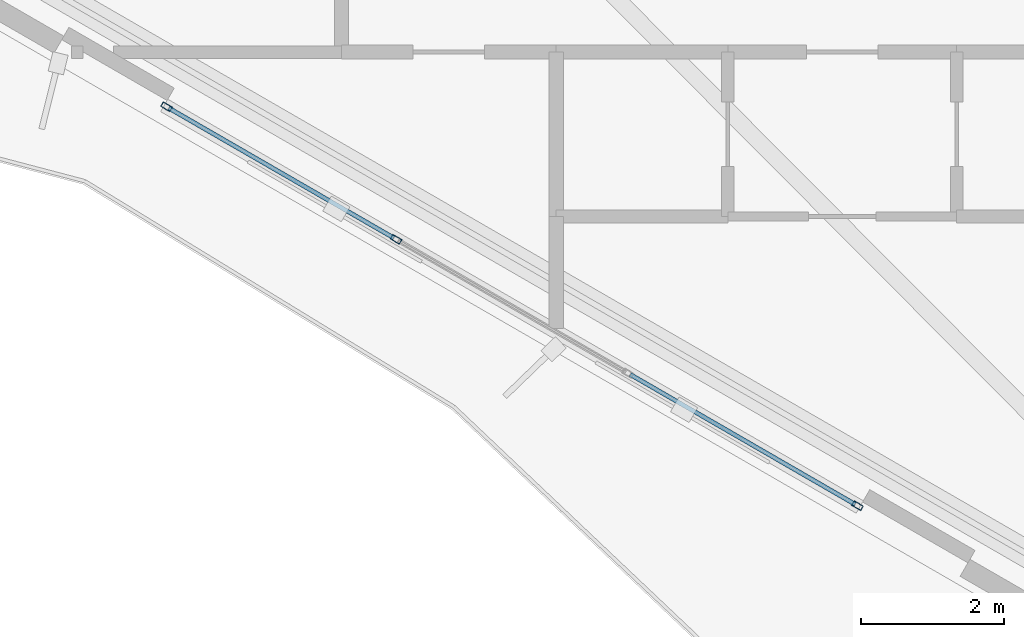
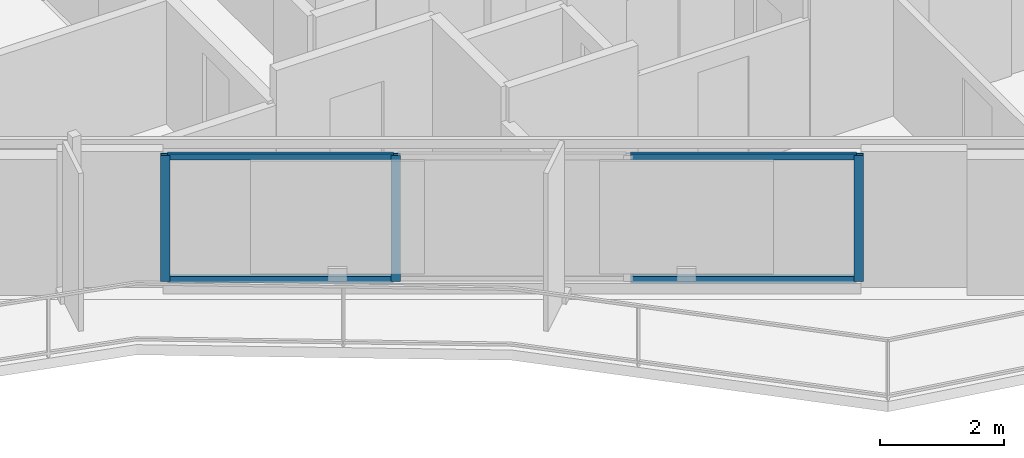
# One storey, part 2 of 22: 7 members, 1 element without a shape of its own.
"""IFC4 building model written with IfcOpenShell, lengths in metres."""

import ifcopenshell
import ifcopenshell.guid

model = None  # the IFC model being written
_history = None  # IfcOwnerHistory: only IFC2X3 demands one
_inside = {}  # id of a spatial element -> (the spatial element, [elements in it])
_under = {}  # id of a project, library or spatial element -> (it, [spatial elements below it])
_declared = {}  # id of a project -> (the project, [libraries it declares])
_typed = {}  # id of a type object -> (the type object, [elements of that type])
_made_of = {}  # id of a material, layer set ... -> (it, [elements and type objects made of it])


def new_model(schema):
    """Start an empty IFC model of exactly this schema.

    Asked for "IFC4X3", IfcOpenShell would pick the latest addendum, in which some entities
    have other attributes; the version numbers below select the first issue.
    IFC2X3 requires an IfcOwnerHistory on every rooted entity: one is made here for all.
    """
    global model, _history
    if schema == "IFC4X3":
        model = ifcopenshell.file(schema_version=(4, 3, 0, 0))
    else:
        model = ifcopenshell.file(schema=schema)
    _inside.clear()
    _under.clear()
    _declared.clear()
    _typed.clear()
    _made_of.clear()
    _history = None
    if model.schema == "IFC2X3":
        org = make("IfcOrganization", Name="unknown")
        user = make(
            "IfcPersonAndOrganization",
            ThePerson=make("IfcPerson", FamilyName="unknown"),
            TheOrganization=org,
        )
        app = make(
            "IfcApplication",
            ApplicationDeveloper=org,
            Version="unknown",
            ApplicationFullName="unknown",
            ApplicationIdentifier="unknown",
        )
        _history = make(
            "IfcOwnerHistory",
            OwningUser=user,
            OwningApplication=app,
            ChangeAction="ADDED",
            CreationDate=0,
        )
    return model


def make(cls, **values):
    """One entity of the class cls with the attributes given. An attribute that is None is left unset."""
    return model.create_entity(
        cls, **{name: value for name, value in values.items() if value is not None}
    )


def rooted(cls, **values):
    """An entity with a GlobalId (a new one), such as an element, a storey or a relation."""
    return make(cls, GlobalId=ifcopenshell.guid.new(), OwnerHistory=_history, **values)


def si_unit(unit_type, name, prefix=None):
    """IfcSIUnit, for example si_unit("LENGTHUNIT", "METRE", prefix="MILLI")."""
    return make("IfcSIUnit", UnitType=unit_type, Prefix=prefix, Name=name)


def assignment(units):
    """IfcUnitAssignment: the units of a project."""
    return None if units is None else make("IfcUnitAssignment", Units=units)


def point(xyz):
    """IfcCartesianPoint."""
    return None if xyz is None else make("IfcCartesianPoint", Coordinates=xyz)


def direction(xyz):
    """IfcDirection."""
    return None if xyz is None else make("IfcDirection", DirectionRatios=xyz)


def frame(location, z_axis=None, x_axis=None):
    """IfcAxis2Placement3D, a coordinate frame: its origin and axes. An axis left out is left unset."""
    return make(
        "IfcAxis2Placement3D",
        Location=point(location),
        Axis=direction(z_axis),
        RefDirection=direction(x_axis),
    )


def frame_2d(location, x_axis=None):
    """IfcAxis2Placement2D, a coordinate frame in the plane: its origin and x axis."""
    return make(
        "IfcAxis2Placement2D", Location=point(location), RefDirection=direction(x_axis)
    )


def origin():
    """The frame at (0, 0, 0) with its axes left unset."""
    return frame((0.0, 0.0, 0.0))


def origin_2d():
    """The frame at (0, 0) in the plane with its x axis left unset."""
    return frame_2d((0.0, 0.0))


def place(relative_to, where):
    """IfcLocalPlacement: puts the frame where relative to a parent placement (None: the world)."""
    return make(
        "IfcLocalPlacement", PlacementRelTo=relative_to, RelativePlacement=where
    )


def context(
    kind, dimensions, precision=None, world=None, true_north=None, identifier=None
):
    """IfcGeometricRepresentationContext, for example the 3D "Model" context."""
    return make(
        "IfcGeometricRepresentationContext",
        ContextIdentifier=identifier,
        ContextType=kind,
        CoordinateSpaceDimension=dimensions,
        Precision=precision,
        WorldCoordinateSystem=world,
        TrueNorth=true_north,
    )


def subcontext(parent, identifier, kind, view, scale=None):
    """IfcGeometricRepresentationSubContext, for example "Body" below "Model"."""
    return make(
        "IfcGeometricRepresentationSubContext",
        ContextIdentifier=identifier,
        ContextType=kind,
        ParentContext=parent,
        TargetScale=scale,
        TargetView=view,
    )


def project(units=None, contexts=None):
    """IfcProject with its units and contexts."""
    return rooted(
        "IfcProject",
        Name="project",
        RepresentationContexts=contexts,
        UnitsInContext=assignment(units),
    )


def spatial(cls, under=None, at=None, **own):
    """A site, building, storey or space (cls), placed at a placement, below another one or the project."""
    s = rooted(cls, ObjectPlacement=at, **own)
    if under is not None:
        _under.setdefault(under.id(), (under, []))[1].append(s)
    return s


def profile(cls, at=None, kind="AREA", **sizes):
    """A parametric profile (cls). Its sizes go by their IFC names, for example OverallWidth=200.0."""
    return make(cls, ProfileType=kind, Position=at, **sizes)


def hollow_rectangle(**sizes):
    """IfcRectangleHollowProfileDef."""
    return profile("IfcRectangleHollowProfileDef", **sizes)


def extrude(swept, where, along, depth):
    """IfcExtrudedAreaSolid: the profile swept, set in the frame where, extruded along a direction by depth."""
    return make(
        "IfcExtrudedAreaSolid",
        SweptArea=swept,
        Position=where,
        ExtrudedDirection=direction(along),
        Depth=depth,
    )


def shape(context_of_items, identifier, shape_type, items):
    """IfcShapeRepresentation: the items that make up one representation, for example the "Body"."""
    return make(
        "IfcShapeRepresentation",
        ContextOfItems=context_of_items,
        RepresentationIdentifier=identifier,
        RepresentationType=shape_type,
        Items=items,
    )


def material(Name=None, Category=None):
    """IfcMaterial."""
    return make("IfcMaterial", Name=Name, Category=Category)


def layer(
    of_material, thickness, ventilated=None, Name=None, Category=None, Priority=None
):
    """IfcMaterialLayer: one layer of a wall or slab, of a material (None: an air gap)."""
    return make(
        "IfcMaterialLayer",
        Material=of_material,
        LayerThickness=thickness,
        IsVentilated=ventilated,
        Name=Name,
        Category=Category,
        Priority=Priority,
    )


def layer_set(layers, Name=None):
    """IfcMaterialLayerSet."""
    return make("IfcMaterialLayerSet", MaterialLayers=layers, LayerSetName=Name)


def material_profile(
    of_material, cross_section, Name=None, Category=None, Priority=None
):
    """IfcMaterialProfile: a cross section and its material."""
    return make(
        "IfcMaterialProfile",
        Name=Name,
        Material=of_material,
        Profile=cross_section,
        Priority=Priority,
        Category=Category,
    )


def profile_set(profiles, Name=None, composite=None):
    """IfcMaterialProfileSet."""
    return make(
        "IfcMaterialProfileSet",
        Name=Name,
        MaterialProfiles=profiles,
        CompositeProfile=composite,
    )


def made_of(thing, what):
    """Note that an element or type object is made of a material, layer set ...; save() writes the relation."""
    if what is not None:
        _made_of.setdefault(what.id(), (what, []))[1].append(thing)
    return thing


def type_object(cls, material=None, **own):
    """A type object (cls), such as IfcWallType, which elements share."""
    return made_of(rooted(cls, **own), material)


def element(
    cls,
    number,
    at=None,
    inside=None,
    cuts=None,
    type_object=None,
    material=None,
    context=None,
    identifier="Body",
    shape_type=None,
    held_by="IfcProductDefinitionShape",
    body=None,
    shapes=None,
    **own,
):
    """One element of the class cls, such as IfcWall. Its Tag is "e" and its number.

    at: its placement. inside: the storey or other place that contains it. cuts: it is an
    opening in that element (IfcRelVoidsElement). A single representation is given by context,
    identifier, shape_type and body (its items); several are given by shapes. held_by: the class
    of the entity that holds the representations. save() writes the other relations.
    """
    e = rooted(cls, Tag="e%d" % number, ObjectPlacement=at, **own)
    if body is not None:
        shapes = [shape(context, identifier, shape_type, body)]
    if shapes is not None:
        e.Representation = make(held_by, Representations=shapes)
    if inside is not None:
        _inside.setdefault(inside.id(), (inside, []))[1].append(e)
    if cuts is not None:
        rooted(
            "IfcRelVoidsElement", RelatingBuildingElement=cuts, RelatedOpeningElement=e
        )
    if type_object is not None:
        _typed.setdefault(type_object.id(), (type_object, []))[1].append(e)
    return made_of(e, material)


def aggregate(whole, parts):
    """IfcRelAggregates: a whole, such as a stair, and the parts it consists of."""
    return rooted("IfcRelAggregates", RelatingObject=whole, RelatedObjects=parts)


def save(model, path):
    """Write the relations noted so far, then the file.

    IfcRelAggregates (storeys below a building ...), IfcRelContainedInSpatialStructure (elements
    in a storey), IfcRelDefinesByType, IfcRelAssociatesMaterial and IfcRelDeclares: one each for
    every whole, place, type object, material and project.
    """
    for whole, parts in _under.values():
        aggregate(whole, parts)
    for where, things in _inside.values():
        rooted(
            "IfcRelContainedInSpatialStructure",
            RelatedElements=things,
            RelatingStructure=where,
        )
    for kind, things in _typed.values():
        rooted("IfcRelDefinesByType", RelatedObjects=things, RelatingType=kind)
    for what, things in _made_of.values():
        rooted("IfcRelAssociatesMaterial", RelatedObjects=things, RelatingMaterial=what)
    for by, libraries in _declared.values():
        rooted("IfcRelDeclares", RelatingContext=by, RelatedDefinitions=libraries)
    model.write(path)


model = new_model("IFC4")

# Units and contexts
model_context = context("Model", 3, precision=1e-05, world=origin(), true_north=direction((0.0, 1.0)))
body_context = subcontext(model_context, "Body", "Model", "MODEL_VIEW")
ifc_project = project(units=[si_unit("LENGTHUNIT", "METRE"), si_unit("AREAUNIT", "SQUARE_METRE"), si_unit("VOLUMEUNIT", "CUBIC_METRE"), si_unit("PLANEANGLEUNIT", "RADIAN"), si_unit("MASSUNIT", "GRAM", prefix="KILO")], contexts=[model_context])

# Site, building, storey
site_placement = place(None, origin())
site = spatial("IfcSite", under=ifc_project, at=site_placement, CompositionType="ELEMENT")
building_placement = place(site_placement, origin())
building = spatial("IfcBuilding", under=site, at=building_placement, Name="Mersakhor Tower and Convention Hall", CompositionType="ELEMENT")
storey_placement = place(building_placement, frame((0.0, 0.0, 83.39990234375)))
storey = spatial("IfcBuildingStorey", under=building, at=storey_placement, Name="L22", CompositionType="ELEMENT", Elevation=83.39990234375)

# Curtain wall, members
ifc_material_1 = material(Name="Dark solar low-E aluminium curtain wall", Category="aluminium")
ifc_layer = layer(ifc_material_1, 0.159912109375)
ifc_layer_set = layer_set([ifc_layer], Name="Dark solar low-E aluminium curtain wall")
curtain_wall_type = type_object("IfcCurtainWallType", Name="CW-SYS-01", PredefinedType="USERDEFINED", material=ifc_layer_set)
curtain_wall_placement = place(storey_placement, origin())
curtain_wall = element("IfcCurtainWall", 1, at=curtain_wall_placement, inside=storey, type_object=curtain_wall_type, Name="L22 Dark-Glass Curtain Wall F3-B2", ObjectType="CURTAIN WALL", PredefinedType="USERDEFINED")
ifc_material_2 = material(Name="Anodised aluminium EN AW-6063 T6", Category="aluminium")
ifc_material_profile_1 = material_profile(ifc_material_2, hollow_rectangle(XDim=0.074951171875, YDim=0.14990234375, WallThickness=0.00634765625, at=origin_2d()), Name="RHS 150x75x6.3")
ifc_profile_set_1 = profile_set([ifc_material_profile_1], Name="Anodised aluminium EN AW-6063 T6")
member_type_1 = type_object("IfcMemberType", Name="CWM-150x75", PredefinedType="MULLION", material=ifc_profile_set_1)
member_1_placement = place(storey_placement, frame((26.812744140625, 11.80712890625, 0.2001953125), z_axis=(0.0, 0.0, 1.0), x_axis=(-0.499997904985, -0.866026613339, 0.0)))
member_1 = element("IfcMember", 2, at=member_1_placement, type_object=member_type_1, Name="CW-01 mullion 1", PredefinedType="MULLION", context=body_context, shape_type="SweptSolid", body=[
    extrude(hollow_rectangle(XDim=0.074951171875, YDim=0.14990234375, WallThickness=0.00634765625, at=origin_2d()), origin(), (0.0, 0.0, 1.0), 2.469970703125),
])
member_2_placement = place(storey_placement, frame((20.36181640625, 15.531494140625, 0.2001953125), z_axis=(0.0, 0.0, 1.0), x_axis=(-0.499997904985, -0.866026613339, 0.0)))
member_2 = element("IfcMember", 3, at=member_2_placement, type_object=member_type_1, Name="CW-01 mullion 3", PredefinedType="MULLION", context=body_context, shape_type="SweptSolid", body=[
    extrude(hollow_rectangle(XDim=0.074951171875, YDim=0.14990234375, WallThickness=0.00634765625, at=origin_2d()), origin(), (0.0, 0.0, 1.0), 2.469970703125),
])
member_3_placement = place(storey_placement, frame((17.152587890625, 17.38427734375, 0.2001953125), z_axis=(0.0, 0.0, 1.0), x_axis=(-0.499997904985, -0.866026613339, 0.0)))
member_3 = element("IfcMember", 4, at=member_3_placement, type_object=member_type_1, Name="CW-01 mullion 4", PredefinedType="MULLION", context=body_context, shape_type="SweptSolid", body=[
    extrude(hollow_rectangle(XDim=0.074951171875, YDim=0.14990234375, WallThickness=0.00634765625, at=origin_2d()), origin(), (0.0, 0.0, 1.0), 2.469970703125),
])
ifc_material_3 = material(Name="Anodised aluminium EN AW-6063 T6", Category="aluminium")
ifc_material_profile_2 = material_profile(ifc_material_3, hollow_rectangle(XDim=0.06005859375, YDim=0.1201171875, WallThickness=0.0048828125, at=origin_2d()), Name="RHS 120x60x5")
ifc_profile_set_2 = profile_set([ifc_material_profile_2], Name="Anodised aluminium EN AW-6063 T6")
member_type_2 = type_object("IfcMemberType", Name="CWT-120x60", PredefinedType="USERDEFINED", material=ifc_profile_set_2)
member_4_placement = place(storey_placement, frame((26.7802734375, 11.82568359375, 0.22998046875), z_axis=(-0.866016497289, 0.500015426185, 0.0), x_axis=(-0.500015426185, -0.866016497289, 0.0)))
member_4 = element("IfcMember", 5, at=member_4_placement, type_object=member_type_2, Name="CW-01 transom 1.1", ObjectType="TRANSOM", PredefinedType="USERDEFINED", context=body_context, shape_type="SweptSolid", body=[
    extrude(hollow_rectangle(XDim=0.06005859375, YDim=0.1201171875, WallThickness=0.0048828125, at=origin_2d()), origin(), (0.0, 0.0, 1.0), 3.630859375),
])
member_5_placement = place(storey_placement, frame((26.7802734375, 11.82568359375, 2.64013671875), z_axis=(-0.866016497289, 0.500015426185, 0.0), x_axis=(-0.500015426185, -0.866016497289, 0.0)))
member_5 = element("IfcMember", 6, at=member_5_placement, type_object=member_type_2, Name="CW-01 transom 1.2", ObjectType="TRANSOM", PredefinedType="USERDEFINED", context=body_context, shape_type="SweptSolid", body=[
    extrude(hollow_rectangle(XDim=0.06005859375, YDim=0.1201171875, WallThickness=0.0048828125, at=origin_2d()), origin(), (0.0, 0.0, 1.0), 3.630859375),
])
member_6_placement = place(storey_placement, frame((20.329345703125, 15.55029296875, 0.22998046875), z_axis=(-0.866045614266, 0.499964992784, 0.0), x_axis=(-0.499964992784, -0.866045614266, 0.0)))
member_6 = element("IfcMember", 7, at=member_6_placement, type_object=member_type_2, Name="CW-01 transom 3.1", ObjectType="TRANSOM", PredefinedType="USERDEFINED", context=body_context, shape_type="SweptSolid", body=[
    extrude(hollow_rectangle(XDim=0.06005859375, YDim=0.1201171875, WallThickness=0.0048828125, at=origin_2d()), origin(), (0.0, 0.0, 1.0), 3.630615234375),
])
member_7_placement = place(storey_placement, frame((20.329345703125, 15.55029296875, 2.64013671875), z_axis=(-0.866045614266, 0.499964992784, 0.0), x_axis=(-0.499964992784, -0.866045614266, 0.0)))
member_7 = element("IfcMember", 8, at=member_7_placement, type_object=member_type_2, Name="CW-01 transom 3.2", ObjectType="TRANSOM", PredefinedType="USERDEFINED", context=body_context, shape_type="SweptSolid", body=[
    extrude(hollow_rectangle(XDim=0.06005859375, YDim=0.1201171875, WallThickness=0.0048828125, at=origin_2d()), origin(), (0.0, 0.0, 1.0), 3.630615234375),
])
aggregate(curtain_wall, [member_1, member_2, member_3, member_4, member_5, member_6, member_7])

save(model, "model.ifc")
